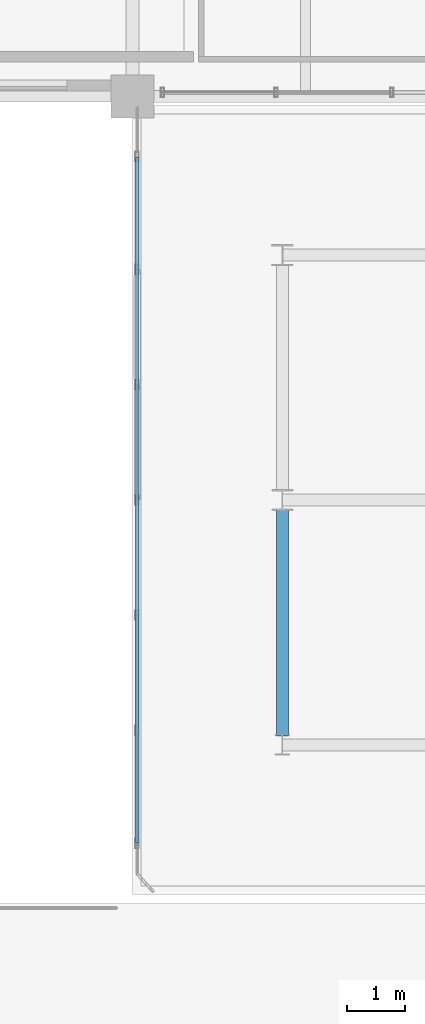
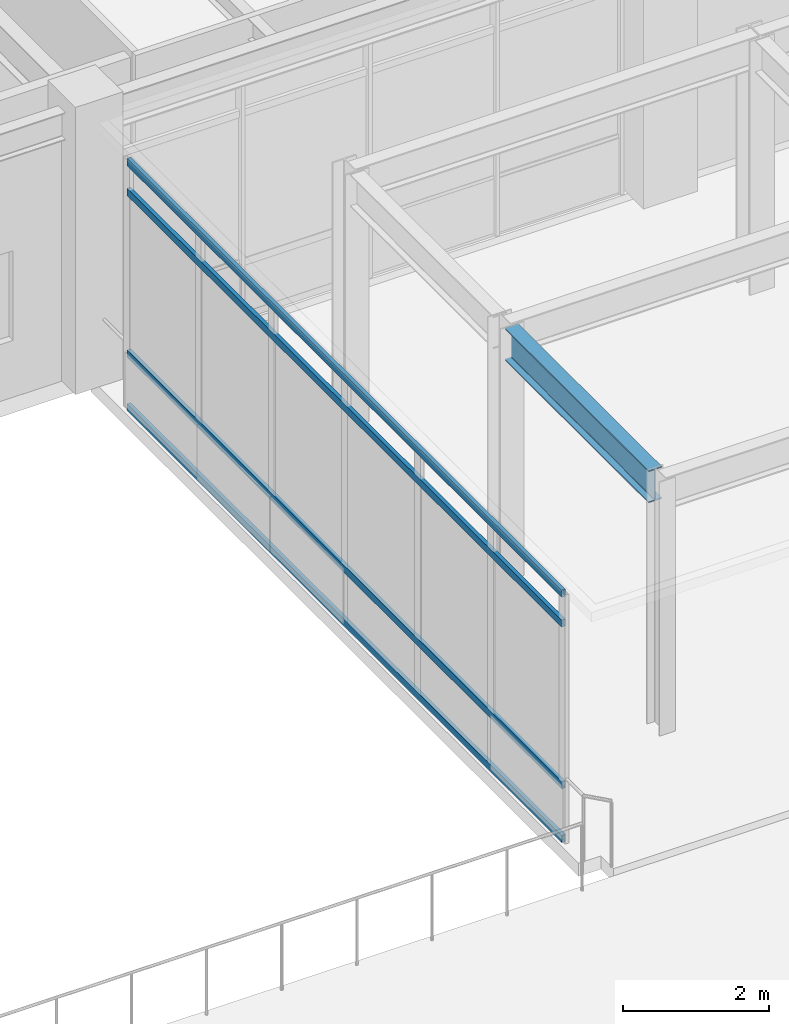
# One storey, part 83 of 200: 4 members, 1 beam, 1 element without a shape of its own.
"""IFC4 building model written with IfcOpenShell, lengths in metres."""

from ifc_helpers import new_model, si_unit, direction, frame, origin, origin_2d, place, context, subcontext, project, spatial, hollow_rectangle, i_section, extrude, material, material_profile, profile_set, type_object, element, aggregate, save


model = new_model("IFC4")

# Units and contexts
model_context = context("Model", 3, precision=1e-05, world=origin(), true_north=direction((0.0, 1.0)))
body_context = subcontext(model_context, "Body", "Model", "MODEL_VIEW")
ifc_project = project(units=[si_unit("LENGTHUNIT", "METRE"), si_unit("AREAUNIT", "SQUARE_METRE"), si_unit("VOLUMEUNIT", "CUBIC_METRE"), si_unit("PLANEANGLEUNIT", "RADIAN"), si_unit("MASSUNIT", "GRAM", prefix="KILO"), si_unit("THERMODYNAMICTEMPERATUREUNIT", "KELVIN"), si_unit("POWERUNIT", "WATT")], contexts=[model_context])

# Site, building, storey
site_placement = place(None, origin())
site = spatial("IfcSite", under=ifc_project, at=site_placement, CompositionType="ELEMENT")
building_placement = place(site_placement, origin())
building = spatial("IfcBuilding", under=site, at=building_placement, Name="Tepalcoro Natatorium and Aquatics Centre", CompositionType="ELEMENT")
storey_placement = place(building_placement, frame((0.0, 0.0, 5.39990234375)))
storey = spatial("IfcBuildingStorey", under=building, at=storey_placement, Name="L01", CompositionType="ELEMENT", Elevation=5.39990234375)

# Beam
ifc_material_1 = material(Name="Steel ASTM A992 Grade 50 (Fy 345 MPa)", Category="steel")
ifc_material_profile_1 = material_profile(ifc_material_1, i_section(OverallWidth=0.2109375, OverallDepth=0.5380859375, WebThickness=0.011962890625, FlangeThickness=0.01904296875, FilletRadius=0.013916015625, at=origin_2d()), Name="W21X73")
ifc_profile_set_1 = profile_set([ifc_material_profile_1], Name="Steel ASTM A992 Grade 50 (Fy 345 MPa)")
beam_type = type_object("IfcBeamType", Name="BM_LINK_LB1", PredefinedType="BEAM", material=ifc_profile_set_1)
beam_placement = place(storey_placement, frame((109.60009765625, 74.906982421875, 3.9560546875), z_axis=(0.0, 1.0, 0.0), x_axis=(-1.0, 0.0, 0.0)))
element("IfcBeam", 1, at=beam_placement, inside=storey, type_object=beam_type, Name="Seismic passage link beam LB1 (V6NE L01)", PredefinedType="BEAM", context=body_context, shape_type="SweptSolid", body=[
    extrude(i_section(OverallWidth=0.2109375, OverallDepth=0.5380859375, WebThickness=0.011962890625, FlangeThickness=0.01904296875, FilletRadius=0.013916015625, at=origin_2d()), origin(), (0.0, 0.0, 1.0), 3.93603515625),
])

# Curtain wall, members
ifc_material_2 = material(Name="Bronze-Anodised Extruded Aluminium Alloy EN AW-6063 T6", Category="aluminium")
curtain_wall_type = type_object("IfcCurtainWallType", Name="CW_LINK_150", PredefinedType="USERDEFINED", material=ifc_material_2)
curtain_wall_placement = place(storey_placement, origin())
curtain_wall = element("IfcCurtainWall", 2, at=curtain_wall_placement, inside=storey, type_object=curtain_wall_type, Name="East Court Wellness Arcade Glazed Wall W L01", ObjectType="UNITISED STOREFRONT", PredefinedType="USERDEFINED")
ifc_material_profile_2 = material_profile(ifc_material_2, hollow_rectangle(XDim=0.06005859375, YDim=0.1201171875, WallThickness=0.00390625, at=origin_2d()), Name="AL60X120X4")
ifc_profile_set_2 = profile_set([ifc_material_profile_2], Name="Bronze-Anodised Extruded Aluminium Alloy EN AW-6063 T6")
member_type = type_object("IfcMemberType", Name="CW_TRN_60x120", PredefinedType="USERDEFINED", material=ifc_profile_set_2)
member_1_placement = place(storey_placement, frame((107.080078125, 73.050048828125, 0.050048828125), z_axis=(0.0, 1.0, 0.0), x_axis=(-1.0, 0.0, 0.0)))
member_1 = element("IfcMember", 3, at=member_1_placement, type_object=member_type, Name="CW_LINK_150 Curtain Wall Transom", ObjectType="TRANSOM", PredefinedType="USERDEFINED", context=body_context, shape_type="SweptSolid", body=[
    extrude(hollow_rectangle(XDim=0.06005859375, YDim=0.1201171875, WallThickness=0.00390625, at=origin_2d()), origin(), (0.0, 0.0, 1.0), 11.89990234375),
])
member_2_placement = place(storey_placement, frame((107.080078125, 73.050048828125, 0.9501953125), z_axis=(0.0, 1.0, 0.0), x_axis=(-1.0, 0.0, 0.0)))
member_2 = element("IfcMember", 4, at=member_2_placement, type_object=member_type, Name="CW_LINK_150 Curtain Wall Transom", ObjectType="TRANSOM", PredefinedType="USERDEFINED", context=body_context, shape_type="SweptSolid", body=[
    extrude(hollow_rectangle(XDim=0.06005859375, YDim=0.1201171875, WallThickness=0.00390625, at=origin_2d()), origin(), (0.0, 0.0, 1.0), 11.89990234375),
])
member_3_placement = place(storey_placement, frame((107.080078125, 73.050048828125, 3.650146484375), z_axis=(0.0, 1.0, 0.0), x_axis=(-1.0, 0.0, 0.0)))
member_3 = element("IfcMember", 5, at=member_3_placement, type_object=member_type, Name="CW_LINK_150 Curtain Wall Transom", ObjectType="TRANSOM", PredefinedType="USERDEFINED", context=body_context, shape_type="SweptSolid", body=[
    extrude(hollow_rectangle(XDim=0.06005859375, YDim=0.1201171875, WallThickness=0.00390625, at=origin_2d()), origin(), (0.0, 0.0, 1.0), 11.89990234375),
])
member_4_placement = place(storey_placement, frame((107.080078125, 73.050048828125, 4.150146484375), z_axis=(0.0, 1.0, 0.0), x_axis=(-1.0, 0.0, 0.0)))
member_4 = element("IfcMember", 6, at=member_4_placement, type_object=member_type, Name="CW_LINK_150 Curtain Wall Transom", ObjectType="TRANSOM", PredefinedType="USERDEFINED", context=body_context, shape_type="SweptSolid", body=[
    extrude(hollow_rectangle(XDim=0.06005859375, YDim=0.1201171875, WallThickness=0.00390625, at=origin_2d()), origin(), (0.0, 0.0, 1.0), 11.89990234375),
])
aggregate(curtain_wall, [member_1, member_2, member_3, member_4])

save(model, "model.ifc")
